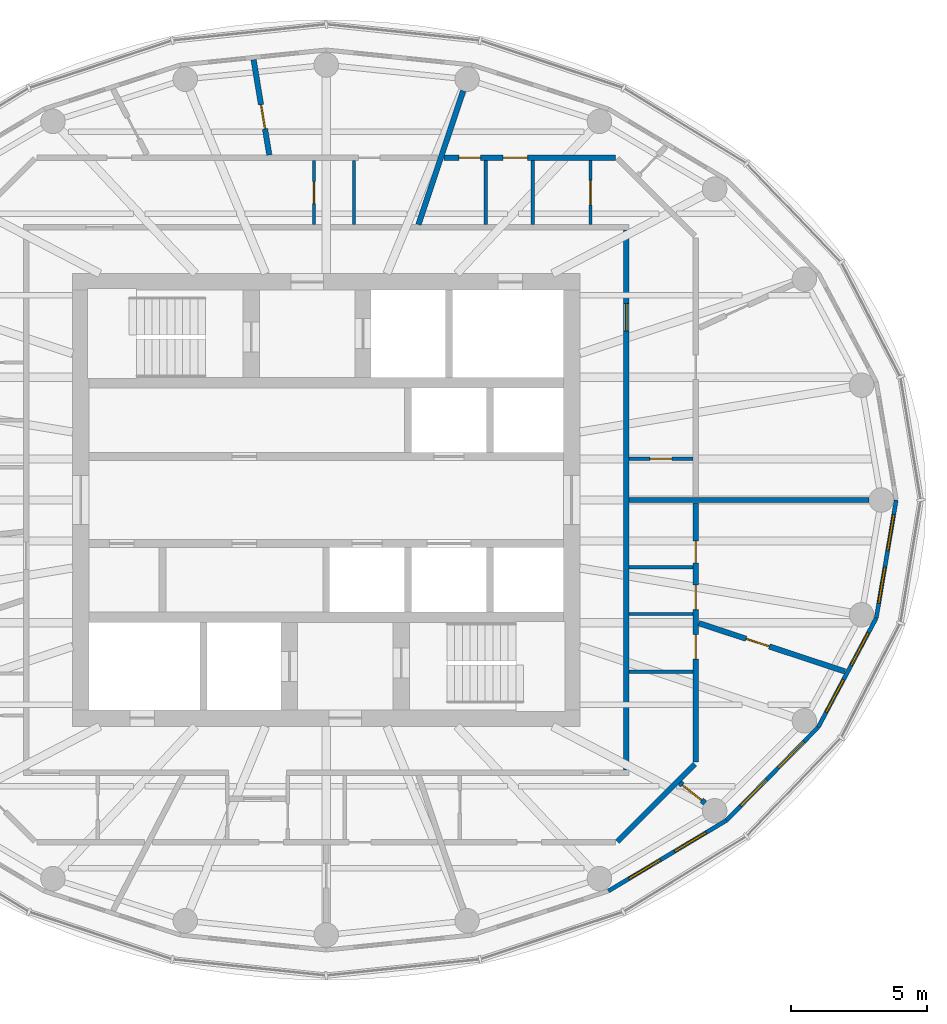
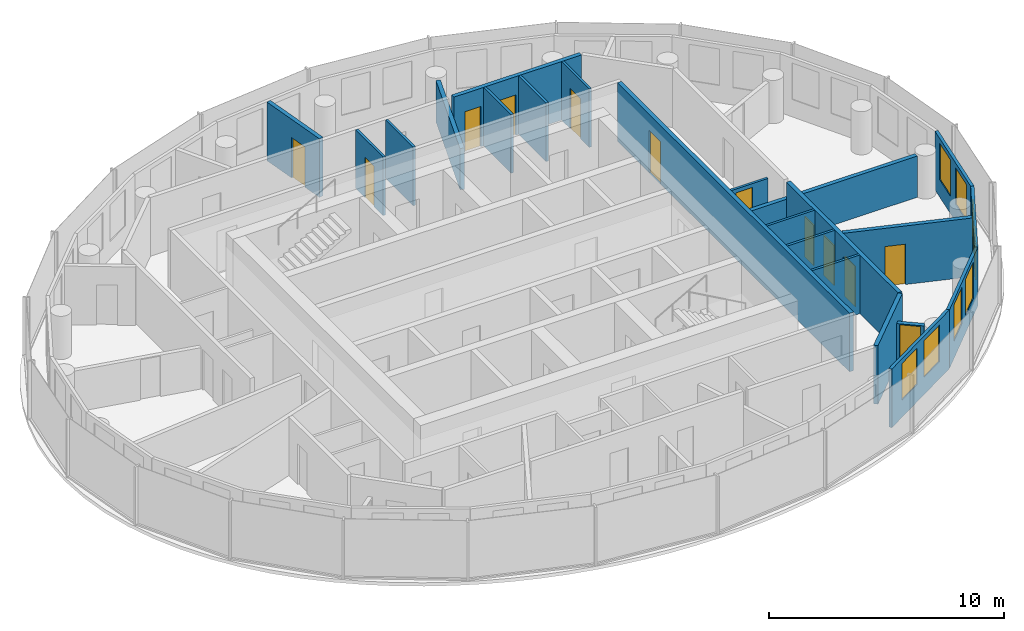
# One storey, part 8 of 11: 22 walls, 12 doors, 8 windows, 20 openings.
"""IFC4 building model written with IfcOpenShell, lengths in metres."""

import ifcopenshell
import ifcopenshell.guid

model = None  # the IFC model being written
_history = None  # IfcOwnerHistory: only IFC2X3 demands one
_inside = {}  # id of a spatial element -> (the spatial element, [elements in it])
_under = {}  # id of a project, library or spatial element -> (it, [spatial elements below it])
_declared = {}  # id of a project -> (the project, [libraries it declares])
_typed = {}  # id of a type object -> (the type object, [elements of that type])
_made_of = {}  # id of a material, layer set ... -> (it, [elements and type objects made of it])


def new_model(schema):
    """Start an empty IFC model of exactly this schema.

    Asked for "IFC4X3", IfcOpenShell would pick the latest addendum, in which some entities
    have other attributes; the version numbers below select the first issue.
    IFC2X3 requires an IfcOwnerHistory on every rooted entity: one is made here for all.
    """
    global model, _history
    if schema == "IFC4X3":
        model = ifcopenshell.file(schema_version=(4, 3, 0, 0))
    else:
        model = ifcopenshell.file(schema=schema)
    _inside.clear()
    _under.clear()
    _declared.clear()
    _typed.clear()
    _made_of.clear()
    _history = None
    if model.schema == "IFC2X3":
        org = make("IfcOrganization", Name="unknown")
        user = make(
            "IfcPersonAndOrganization",
            ThePerson=make("IfcPerson", FamilyName="unknown"),
            TheOrganization=org,
        )
        app = make(
            "IfcApplication",
            ApplicationDeveloper=org,
            Version="unknown",
            ApplicationFullName="unknown",
            ApplicationIdentifier="unknown",
        )
        _history = make(
            "IfcOwnerHistory",
            OwningUser=user,
            OwningApplication=app,
            ChangeAction="ADDED",
            CreationDate=0,
        )
    return model


def make(cls, **values):
    """One entity of the class cls with the attributes given. An attribute that is None is left unset."""
    return model.create_entity(
        cls, **{name: value for name, value in values.items() if value is not None}
    )


def rooted(cls, **values):
    """An entity with a GlobalId (a new one), such as an element, a storey or a relation."""
    return make(cls, GlobalId=ifcopenshell.guid.new(), OwnerHistory=_history, **values)


def si_unit(unit_type, name, prefix=None):
    """IfcSIUnit, for example si_unit("LENGTHUNIT", "METRE", prefix="MILLI")."""
    return make("IfcSIUnit", UnitType=unit_type, Prefix=prefix, Name=name)


def assignment(units):
    """IfcUnitAssignment: the units of a project."""
    return None if units is None else make("IfcUnitAssignment", Units=units)


def point(xyz):
    """IfcCartesianPoint."""
    return None if xyz is None else make("IfcCartesianPoint", Coordinates=xyz)


def direction(xyz):
    """IfcDirection."""
    return None if xyz is None else make("IfcDirection", DirectionRatios=xyz)


def frame(location, z_axis=None, x_axis=None):
    """IfcAxis2Placement3D, a coordinate frame: its origin and axes. An axis left out is left unset."""
    return make(
        "IfcAxis2Placement3D",
        Location=point(location),
        Axis=direction(z_axis),
        RefDirection=direction(x_axis),
    )


def frame_2d(location, x_axis=None):
    """IfcAxis2Placement2D, a coordinate frame in the plane: its origin and x axis."""
    return make(
        "IfcAxis2Placement2D", Location=point(location), RefDirection=direction(x_axis)
    )


def origin():
    """The frame at (0, 0, 0) with its axes left unset."""
    return frame((0.0, 0.0, 0.0))


def place(relative_to, where):
    """IfcLocalPlacement: puts the frame where relative to a parent placement (None: the world)."""
    return make(
        "IfcLocalPlacement", PlacementRelTo=relative_to, RelativePlacement=where
    )


def context(
    kind, dimensions, precision=None, world=None, true_north=None, identifier=None
):
    """IfcGeometricRepresentationContext, for example the 3D "Model" context."""
    return make(
        "IfcGeometricRepresentationContext",
        ContextIdentifier=identifier,
        ContextType=kind,
        CoordinateSpaceDimension=dimensions,
        Precision=precision,
        WorldCoordinateSystem=world,
        TrueNorth=true_north,
    )


def subcontext(parent, identifier, kind, view, scale=None):
    """IfcGeometricRepresentationSubContext, for example "Body" below "Model"."""
    return make(
        "IfcGeometricRepresentationSubContext",
        ContextIdentifier=identifier,
        ContextType=kind,
        ParentContext=parent,
        TargetScale=scale,
        TargetView=view,
    )


def project(units=None, contexts=None):
    """IfcProject with its units and contexts."""
    return rooted(
        "IfcProject",
        Name="project",
        RepresentationContexts=contexts,
        UnitsInContext=assignment(units),
    )


def spatial(cls, under=None, at=None, **own):
    """A site, building, storey or space (cls), placed at a placement, below another one or the project."""
    s = rooted(cls, ObjectPlacement=at, **own)
    if under is not None:
        _under.setdefault(under.id(), (under, []))[1].append(s)
    return s


def profile(cls, at=None, kind="AREA", **sizes):
    """A parametric profile (cls). Its sizes go by their IFC names, for example OverallWidth=200.0."""
    return make(cls, ProfileType=kind, Position=at, **sizes)


def rectangle(**sizes):
    """IfcRectangleProfileDef."""
    return profile("IfcRectangleProfileDef", **sizes)


def extrude(swept, where, along, depth):
    """IfcExtrudedAreaSolid: the profile swept, set in the frame where, extruded along a direction by depth."""
    return make(
        "IfcExtrudedAreaSolid",
        SweptArea=swept,
        Position=where,
        ExtrudedDirection=direction(along),
        Depth=depth,
    )


def shape(context_of_items, identifier, shape_type, items):
    """IfcShapeRepresentation: the items that make up one representation, for example the "Body"."""
    return make(
        "IfcShapeRepresentation",
        ContextOfItems=context_of_items,
        RepresentationIdentifier=identifier,
        RepresentationType=shape_type,
        Items=items,
    )


def material(Name=None, Category=None):
    """IfcMaterial."""
    return make("IfcMaterial", Name=Name, Category=Category)


def layer(
    of_material, thickness, ventilated=None, Name=None, Category=None, Priority=None
):
    """IfcMaterialLayer: one layer of a wall or slab, of a material (None: an air gap)."""
    return make(
        "IfcMaterialLayer",
        Material=of_material,
        LayerThickness=thickness,
        IsVentilated=ventilated,
        Name=Name,
        Category=Category,
        Priority=Priority,
    )


def layer_set(layers, Name=None):
    """IfcMaterialLayerSet."""
    return make("IfcMaterialLayerSet", MaterialLayers=layers, LayerSetName=Name)


def made_of(thing, what):
    """Note that an element or type object is made of a material, layer set ...; save() writes the relation."""
    if what is not None:
        _made_of.setdefault(what.id(), (what, []))[1].append(thing)
    return thing


def type_object(cls, material=None, **own):
    """A type object (cls), such as IfcWallType, which elements share."""
    return made_of(rooted(cls, **own), material)


def element(
    cls,
    number,
    at=None,
    inside=None,
    cuts=None,
    type_object=None,
    material=None,
    context=None,
    identifier="Body",
    shape_type=None,
    held_by="IfcProductDefinitionShape",
    body=None,
    shapes=None,
    **own,
):
    """One element of the class cls, such as IfcWall. Its Tag is "e" and its number.

    at: its placement. inside: the storey or other place that contains it. cuts: it is an
    opening in that element (IfcRelVoidsElement). A single representation is given by context,
    identifier, shape_type and body (its items); several are given by shapes. held_by: the class
    of the entity that holds the representations. save() writes the other relations.
    """
    e = rooted(cls, Tag="e%d" % number, ObjectPlacement=at, **own)
    if body is not None:
        shapes = [shape(context, identifier, shape_type, body)]
    if shapes is not None:
        e.Representation = make(held_by, Representations=shapes)
    if inside is not None:
        _inside.setdefault(inside.id(), (inside, []))[1].append(e)
    if cuts is not None:
        rooted(
            "IfcRelVoidsElement", RelatingBuildingElement=cuts, RelatedOpeningElement=e
        )
    if type_object is not None:
        _typed.setdefault(type_object.id(), (type_object, []))[1].append(e)
    return made_of(e, material)


def fill(opening, filler):
    """IfcRelFillsElement: the door or window that sits in an opening."""
    return rooted(
        "IfcRelFillsElement",
        RelatingOpeningElement=opening,
        RelatedBuildingElement=filler,
    )


def aggregate(whole, parts):
    """IfcRelAggregates: a whole, such as a stair, and the parts it consists of."""
    return rooted("IfcRelAggregates", RelatingObject=whole, RelatedObjects=parts)


def save(model, path):
    """Write the relations noted so far, then the file.

    IfcRelAggregates (storeys below a building ...), IfcRelContainedInSpatialStructure (elements
    in a storey), IfcRelDefinesByType, IfcRelAssociatesMaterial and IfcRelDeclares: one each for
    every whole, place, type object, material and project.
    """
    for whole, parts in _under.values():
        aggregate(whole, parts)
    for where, things in _inside.values():
        rooted(
            "IfcRelContainedInSpatialStructure",
            RelatedElements=things,
            RelatingStructure=where,
        )
    for kind, things in _typed.values():
        rooted("IfcRelDefinesByType", RelatedObjects=things, RelatingType=kind)
    for what, things in _made_of.values():
        rooted("IfcRelAssociatesMaterial", RelatedObjects=things, RelatingMaterial=what)
    for by, libraries in _declared.values():
        rooted("IfcRelDeclares", RelatingContext=by, RelatedDefinitions=libraries)
    model.write(path)


model = new_model("IFC4")

# Units and contexts
model_context = context("Model", 3, precision=1e-05, world=origin(), true_north=direction((0.0, 1.0)))
body_context = subcontext(model_context, "Body", "Model", "MODEL_VIEW")
ifc_project = project(units=[si_unit("LENGTHUNIT", "METRE"), si_unit("AREAUNIT", "SQUARE_METRE"), si_unit("VOLUMEUNIT", "CUBIC_METRE"), si_unit("PLANEANGLEUNIT", "RADIAN"), si_unit("MASSUNIT", "GRAM", prefix="KILO")], contexts=[model_context])

# Site, building, storey
site_placement = place(None, origin())
site = spatial("IfcSite", under=ifc_project, at=site_placement, CompositionType="ELEMENT")
building_placement = place(site_placement, origin())
building = spatial("IfcBuilding", under=site, at=building_placement, Name="Hankou Lantern Tower", CompositionType="ELEMENT")
storey_placement = place(building_placement, frame((0.0, 0.0, 229.199951171875)))
storey = spatial("IfcBuildingStorey", under=building, at=storey_placement, Name="L62", CompositionType="ELEMENT", Elevation=229.199951171875)

# Wall, openings, windows
ifc_material_1 = material(Name="Aluminium spandrel panel on steel studs", Category="steel")
ifc_layer_1 = layer(ifc_material_1, 0.14990234375)
ifc_layer_set_1 = layer_set([ifc_layer_1], Name="Aluminium spandrel panel on steel studs")
wall_type_1 = type_object("IfcWallType", Name="EW1 INNER SKIN WALL 150", PredefinedType="ELEMENTEDWALL", material=ifc_layer_set_1)
wall_1_placement = place(storey_placement, frame((10.346435546875, -14.33642578125, 0.0), z_axis=(0.0, 0.0, 1.0), x_axis=(0.85822150553, 0.513279502265, 0.0)))
wall_1 = element("IfcWall", 1, at=wall_1_placement, inside=storey, type_object=wall_type_1, Name="Inner skin R21-R22 L62", PredefinedType="ELEMENTEDWALL", context=body_context, shape_type="SweptSolid", body=[
    extrude(rectangle(XDim=5.050048828125, YDim=0.14990234375, at=frame_2d((2.52490234375, 0.0))), origin(), (0.0, 0.0, 1.0), 3.050048828125),
])
opening_1_placement = place(wall_1_placement, frame((0.875, 0.0, 0.89990234375)))
opening_1 = element("IfcOpeningElement", 2, at=opening_1_placement, cuts=wall_1, Name="Opening W4", PredefinedType="OPENING", context=body_context, shape_type="SweptSolid", body=[
    extrude(rectangle(XDim=1.35009765625, YDim=1.89990234375, at=frame_2d((0.675048828125, 0.949951171875))), frame((0.0, 0.0849609375, 0.0), z_axis=(0.0, -1.0, 0.0), x_axis=(1.0, 0.0, 0.0)), (0.0, 0.0, 1.0), 0.169921875),
])
opening_2_placement = place(wall_1_placement, frame((2.824951171875, 0.0, 0.89990234375)))
opening_2 = element("IfcOpeningElement", 3, at=opening_2_placement, cuts=wall_1, Name="Opening W4", PredefinedType="OPENING", context=body_context, shape_type="SweptSolid", body=[
    extrude(rectangle(XDim=1.35009765625, YDim=1.89990234375, at=frame_2d((0.675048828125, 0.949951171875))), frame((0.0, 0.0849609375, 0.0), z_axis=(0.0, -1.0, 0.0), x_axis=(1.0, 0.0, 0.0)), (0.0, 0.0, 1.0), 0.169921875),
])
ifc_material_2 = material(Name="Aluminium framed double glazed window", Category="aluminium")
window_type = type_object("IfcWindowType", Name="W4 SUITE WINDOW 1350X1900", PartitioningType="DOUBLE_PANEL_VERTICAL", PredefinedType="WINDOW", material=ifc_material_2)
window_1_placement = place(opening_1_placement, origin())
window_1 = element("IfcWindow", 4, at=window_1_placement, inside=storey, type_object=window_type, Name="Window R21.1 L62", OverallHeight=1.89990234375, OverallWidth=1.35009765625, PartitioningType="SINGLE_PANEL", PredefinedType="WINDOW", context=body_context, shape_type="SweptSolid", body=[
    extrude(rectangle(XDim=1.35009765625, YDim=1.89990234375, at=frame_2d((0.675048828125, 0.949951171875))), frame((0.0, 0.030029296875, 0.0), z_axis=(0.0, -1.0, 0.0), x_axis=(1.0, 0.0, 0.0)), (0.0, 0.0, 1.0), 0.06005859375),
])
fill(opening_1, window_1)
window_2_placement = place(opening_2_placement, origin())
window_2 = element("IfcWindow", 5, at=window_2_placement, inside=storey, type_object=window_type, Name="Window R21.2 L62", OverallHeight=1.89990234375, OverallWidth=1.35009765625, PartitioningType="SINGLE_PANEL", PredefinedType="WINDOW", context=body_context, shape_type="SweptSolid", body=[
    extrude(rectangle(XDim=1.35009765625, YDim=1.89990234375, at=frame_2d((0.675048828125, 0.949951171875))), frame((0.0, 0.030029296875, 0.0), z_axis=(0.0, -1.0, 0.0), x_axis=(1.0, 0.0, 0.0)), (0.0, 0.0, 1.0), 0.06005859375),
])
fill(opening_2, window_2)

wall_2_placement = place(storey_placement, frame((14.680419921875, -11.744384765625, 0.0), z_axis=(0.0, 0.0, 1.0), x_axis=(0.701527379618, 0.712642501993, 0.0)))
wall_2 = element("IfcWall", 6, at=wall_2_placement, inside=storey, type_object=wall_type_1, Name="Inner skin R22-R23 L62", PredefinedType="ELEMENTEDWALL", context=body_context, shape_type="SweptSolid", body=[
    extrude(rectangle(XDim=4.788330078125, YDim=0.14990234375, at=frame_2d((2.39404296875, 0.0))), origin(), (0.0, 0.0, 1.0), 3.050048828125),
])
opening_3_placement = place(wall_2_placement, frame((0.744140625, 0.0, 0.89990234375)))
opening_3 = element("IfcOpeningElement", 7, at=opening_3_placement, cuts=wall_2, Name="Opening W4", PredefinedType="OPENING", context=body_context, shape_type="SweptSolid", body=[
    extrude(rectangle(XDim=1.35009765625, YDim=1.89990234375, at=frame_2d((0.675048828125, 0.949951171875))), frame((0.0, 0.0849609375, 0.0), z_axis=(0.0, -1.0, 0.0), x_axis=(1.0, 0.0, 0.0)), (0.0, 0.0, 1.0), 0.169921875),
])
opening_4_placement = place(wall_2_placement, frame((2.694091796875, 0.0, 0.89990234375)))
opening_4 = element("IfcOpeningElement", 8, at=opening_4_placement, cuts=wall_2, Name="Opening W4", PredefinedType="OPENING", context=body_context, shape_type="SweptSolid", body=[
    extrude(rectangle(XDim=1.35009765625, YDim=1.89990234375, at=frame_2d((0.675048828125, 0.949951171875))), frame((0.0, 0.0849609375, 0.0), z_axis=(0.0, -1.0, 0.0), x_axis=(1.0, 0.0, 0.0)), (0.0, 0.0, 1.0), 0.169921875),
])
window_3_placement = place(opening_3_placement, origin())
window_3 = element("IfcWindow", 9, at=window_3_placement, inside=storey, type_object=window_type, Name="Window R22.1 L62", OverallHeight=1.89990234375, OverallWidth=1.35009765625, PartitioningType="SINGLE_PANEL", PredefinedType="WINDOW", context=body_context, shape_type="SweptSolid", body=[
    extrude(rectangle(XDim=1.35009765625, YDim=1.89990234375, at=frame_2d((0.675048828125, 0.949951171875))), frame((0.0, 0.030029296875, 0.0), z_axis=(0.0, -1.0, 0.0), x_axis=(1.0, 0.0, 0.0)), (0.0, 0.0, 1.0), 0.06005859375),
])
fill(opening_3, window_3)
window_4_placement = place(opening_4_placement, origin())
window_4 = element("IfcWindow", 10, at=window_4_placement, inside=storey, type_object=window_type, Name="Window R22.2 L62", OverallHeight=1.89990234375, OverallWidth=1.35009765625, PartitioningType="SINGLE_PANEL", PredefinedType="WINDOW", context=body_context, shape_type="SweptSolid", body=[
    extrude(rectangle(XDim=1.35009765625, YDim=1.89990234375, at=frame_2d((0.675048828125, 0.949951171875))), frame((0.0, 0.030029296875, 0.0), z_axis=(0.0, -1.0, 0.0), x_axis=(1.0, 0.0, 0.0)), (0.0, 0.0, 1.0), 0.06005859375),
])
fill(opening_4, window_4)

wall_3_placement = place(storey_placement, frame((18.03955078125, -8.33203125, 0.0), z_axis=(0.0, 0.0, 1.0), x_axis=(0.469256152955, 0.883062094597, 0.0)))
wall_3 = element("IfcWall", 11, at=wall_3_placement, inside=storey, type_object=wall_type_1, Name="Inner skin R23-R24 L62", PredefinedType="ELEMENTEDWALL", context=body_context, shape_type="SweptSolid", body=[
    extrude(rectangle(XDim=4.539306640625, YDim=0.14990234375, at=frame_2d((2.26953125, 0.0))), origin(), (0.0, 0.0, 1.0), 3.050048828125),
])
opening_5_placement = place(wall_3_placement, frame((0.61962890625, 0.0, 0.89990234375)))
opening_5 = element("IfcOpeningElement", 12, at=opening_5_placement, cuts=wall_3, Name="Opening W4", PredefinedType="OPENING", context=body_context, shape_type="SweptSolid", body=[
    extrude(rectangle(XDim=1.35009765625, YDim=1.89990234375, at=frame_2d((0.675048828125, 0.949951171875))), frame((0.0, 0.0849609375, 0.0), z_axis=(0.0, -1.0, 0.0), x_axis=(1.0, 0.0, 0.0)), (0.0, 0.0, 1.0), 0.169921875),
])
opening_6_placement = place(wall_3_placement, frame((2.569580078125, 0.0, 0.89990234375)))
opening_6 = element("IfcOpeningElement", 13, at=opening_6_placement, cuts=wall_3, Name="Opening W4", PredefinedType="OPENING", context=body_context, shape_type="SweptSolid", body=[
    extrude(rectangle(XDim=1.35009765625, YDim=1.89990234375, at=frame_2d((0.675048828125, 0.949951171875))), frame((0.0, 0.0849609375, 0.0), z_axis=(0.0, -1.0, 0.0), x_axis=(1.0, 0.0, 0.0)), (0.0, 0.0, 1.0), 0.169921875),
])
window_5_placement = place(opening_5_placement, origin())
window_5 = element("IfcWindow", 14, at=window_5_placement, inside=storey, type_object=window_type, Name="Window R23.1 L62", OverallHeight=1.89990234375, OverallWidth=1.35009765625, PartitioningType="SINGLE_PANEL", PredefinedType="WINDOW", context=body_context, shape_type="SweptSolid", body=[
    extrude(rectangle(XDim=1.35009765625, YDim=1.89990234375, at=frame_2d((0.675048828125, 0.949951171875))), frame((0.0, 0.030029296875, 0.0), z_axis=(0.0, -1.0, 0.0), x_axis=(1.0, 0.0, 0.0)), (0.0, 0.0, 1.0), 0.06005859375),
])
fill(opening_5, window_5)
window_6_placement = place(opening_6_placement, origin())
window_6 = element("IfcWindow", 15, at=window_6_placement, inside=storey, type_object=window_type, Name="Window R23.2 L62", OverallHeight=1.89990234375, OverallWidth=1.35009765625, PartitioningType="SINGLE_PANEL", PredefinedType="WINDOW", context=body_context, shape_type="SweptSolid", body=[
    extrude(rectangle(XDim=1.35009765625, YDim=1.89990234375, at=frame_2d((0.675048828125, 0.949951171875))), frame((0.0, 0.030029296875, 0.0), z_axis=(0.0, -1.0, 0.0), x_axis=(1.0, 0.0, 0.0)), (0.0, 0.0, 1.0), 0.06005859375),
])
fill(opening_6, window_6)

wall_4_placement = place(storey_placement, frame((20.169677734375, -4.323486328125, 0.0), z_axis=(0.0, 0.0, 1.0), x_axis=(0.166538513568, 0.986034950445, 0.0)))
wall_4 = element("IfcWall", 16, at=wall_4_placement, inside=storey, type_object=wall_type_1, Name="Inner skin R24-R01 L62", PredefinedType="ELEMENTEDWALL", context=body_context, shape_type="SweptSolid", body=[
    extrude(rectangle(XDim=4.384765625, YDim=0.14990234375, at=frame_2d((2.1923828125, 0.0))), origin(), (0.0, 0.0, 1.0), 3.050048828125),
])
opening_7_placement = place(wall_4_placement, frame((0.54248046875, 0.0, 0.89990234375)))
opening_7 = element("IfcOpeningElement", 17, at=opening_7_placement, cuts=wall_4, Name="Opening W4", PredefinedType="OPENING", context=body_context, shape_type="SweptSolid", body=[
    extrude(rectangle(XDim=1.35009765625, YDim=1.89990234375, at=frame_2d((0.675048828125, 0.949951171875))), frame((0.0, 0.0849609375, 0.0), z_axis=(0.0, -1.0, 0.0), x_axis=(1.0, 0.0, 0.0)), (0.0, 0.0, 1.0), 0.169921875),
])
opening_8_placement = place(wall_4_placement, frame((2.492431640625, 0.0, 0.89990234375)))
opening_8 = element("IfcOpeningElement", 18, at=opening_8_placement, cuts=wall_4, Name="Opening W4", PredefinedType="OPENING", context=body_context, shape_type="SweptSolid", body=[
    extrude(rectangle(XDim=1.35009765625, YDim=1.89990234375, at=frame_2d((0.675048828125, 0.949951171875))), frame((0.0, 0.0849609375, 0.0), z_axis=(0.0, -1.0, 0.0), x_axis=(1.0, 0.0, 0.0)), (0.0, 0.0, 1.0), 0.169921875),
])
window_7_placement = place(opening_7_placement, origin())
window_7 = element("IfcWindow", 19, at=window_7_placement, inside=storey, type_object=window_type, Name="Window R24.1 L62", OverallHeight=1.89990234375, OverallWidth=1.35009765625, PartitioningType="SINGLE_PANEL", PredefinedType="WINDOW", context=body_context, shape_type="SweptSolid", body=[
    extrude(rectangle(XDim=1.35009765625, YDim=1.89990234375, at=frame_2d((0.675048828125, 0.949951171875))), frame((0.0, 0.030029296875, 0.0), z_axis=(0.0, -1.0, 0.0), x_axis=(1.0, 0.0, 0.0)), (0.0, 0.0, 1.0), 0.06005859375),
])
fill(opening_7, window_7)
window_8_placement = place(opening_8_placement, origin())
window_8 = element("IfcWindow", 20, at=window_8_placement, inside=storey, type_object=window_type, Name="Window R24.2 L62", OverallHeight=1.89990234375, OverallWidth=1.35009765625, PartitioningType="SINGLE_PANEL", PredefinedType="WINDOW", context=body_context, shape_type="SweptSolid", body=[
    extrude(rectangle(XDim=1.35009765625, YDim=1.89990234375, at=frame_2d((0.675048828125, 0.949951171875))), frame((0.0, 0.030029296875, 0.0), z_axis=(0.0, -1.0, 0.0), x_axis=(1.0, 0.0, 0.0)), (0.0, 0.0, 1.0), 0.06005859375),
])
fill(opening_8, window_8)

# Walls
ifc_material_3 = material(Name="Masonry lightweight concrete block", Category="masonry")
ifc_layer_2 = layer(ifc_material_3, 0.199951171875)
ifc_layer_set_2 = layer_set([ifc_layer_2], Name="Masonry lightweight concrete block")
wall_type_2 = type_object("IfcWallType", Name="IW1 GUEST ROOM PARTY WALL 200", PredefinedType="PARTITIONING", material=ifc_layer_set_2)
wall_5_placement = place(storey_placement, frame((11.10009765625, 0.0, 0.0), z_axis=(0.0, 0.0, 1.0), x_axis=(1.0, 0.0, 0.0)))
element("IfcWall", 21, at=wall_5_placement, inside=storey, type_object=wall_type_2, Name="Party wall R01", PredefinedType="PARTITIONING", context=body_context, shape_type="SweptSolid", body=[
    extrude(rectangle(XDim=8.7998046875, YDim=0.199951171875, at=frame_2d((4.39990234375, 0.0))), origin(), (0.0, 0.0, 1.0), 2.150146484375),
])
wall_6_placement = place(storey_placement, frame((3.3828125, 10.10009765625, 0.0), z_axis=(0.0, 0.0, 1.0), x_axis=(0.317602151035, 0.948224063003, 0.0)))
element("IfcWall", 22, at=wall_6_placement, inside=storey, type_object=wall_type_2, Name="Party wall R06", PredefinedType="PARTITIONING", context=body_context, shape_type="SweptSolid", body=[
    extrude(rectangle(XDim=5.16796875, YDim=0.199951171875, at=frame_2d((2.583984375, 0.0))), origin(), (0.0, 0.0, 1.0), 2.150146484375),
])

# Wall, opening, door
ifc_material_4 = material(Name="Masonry lightweight concrete block", Category="masonry")
ifc_layer_3 = layer(ifc_material_4, 0.199951171875)
ifc_layer_set_3 = layer_set([ifc_layer_3], Name="Masonry lightweight concrete block")
wall_type_3 = type_object("IfcWallType", Name="IW2 CORRIDOR WALL 200", PredefinedType="PARTITIONING", material=ifc_layer_set_3)
wall_7_placement = place(storey_placement, frame((11.0, -9.89990234375, 0.0), z_axis=(0.0, 0.0, 1.0), x_axis=(0.0, 1.0, 0.0)))
wall_7 = element("IfcWall", 23, at=wall_7_placement, inside=storey, type_object=wall_type_3, Name="Corridor wall east", PredefinedType="PARTITIONING", context=body_context, shape_type="SweptSolid", body=[
    extrude(rectangle(XDim=19.7998046875, YDim=0.199951171875, at=frame_2d((9.89990234375, 0.0))), origin(), (0.0, 0.0, 1.0), 3.050048828125),
])
opening_9_placement = place(wall_7_placement, frame((16.095947265625, 0.0, 0.0)))
opening_9 = element("IfcOpeningElement", 24, at=opening_9_placement, cuts=wall_7, Name="Opening D2", PredefinedType="OPENING", context=body_context, shape_type="SweptSolid", body=[
    extrude(rectangle(XDim=1.0, YDim=2.199951171875, at=frame_2d((0.5, 1.10009765625))), frame((0.0, 0.10986328125, 0.0), z_axis=(0.0, -1.0, 0.0), x_axis=(1.0, 0.0, 0.0)), (0.0, 0.0, 1.0), 0.219970703125),
])
ifc_material_5 = material(Name="Steel door leaf", Category="steel")
door_type_1 = type_object("IfcDoorType", Name="D2 SUITE DOOR 1000X2200", OperationType="SINGLE_SWING_LEFT", PredefinedType="DOOR", material=ifc_material_5)
door_1_placement = place(opening_9_placement, origin())
door_1 = element("IfcDoor", 25, at=door_1_placement, inside=storey, type_object=door_type_1, Name="Suite door 6201", OperationType="SINGLE_SWING_RIGHT", OverallHeight=2.199951171875, OverallWidth=1.0, PredefinedType="DOOR", context=body_context, shape_type="SweptSolid", body=[
    extrude(rectangle(XDim=1.0, YDim=2.199951171875, at=frame_2d((0.5, 1.10009765625))), frame((0.0, 0.02490234375, 0.0), z_axis=(0.0, -1.0, 0.0), x_axis=(1.0, 0.0, 0.0)), (0.0, 0.0, 1.0), 0.050048828125),
])
fill(opening_9, door_1)

ifc_material_6 = material(Name="Masonry lightweight concrete block", Category="masonry")
ifc_layer_4 = layer(ifc_material_6, 0.1201171875)
ifc_layer_set_4 = layer_set([ifc_layer_4], Name="Masonry lightweight concrete block")
wall_type_4 = type_object("IfcWallType", Name="IW3 BATHROOM WALL 120", PredefinedType="PARTITIONING", material=ifc_layer_set_4)
wall_8_placement = place(storey_placement, frame((11.10009765625, 1.510986328125, 0.0), z_axis=(0.0, 0.0, 1.0), x_axis=(1.0, 0.0, 0.0)))
wall_8 = element("IfcWall", 26, at=wall_8_placement, inside=storey, type_object=wall_type_4, Name="Box wall 6201 1", PredefinedType="PARTITIONING", context=body_context, shape_type="SweptSolid", body=[
    extrude(rectangle(XDim=2.349853515625, YDim=0.1201171875, at=frame_2d((1.1748046875, 0.0))), origin(), (0.0, 0.0, 1.0), 2.300048828125),
])
opening_10_placement = place(wall_8_placement, frame((0.77001953125, 0.0, 0.0)))
opening_10 = element("IfcOpeningElement", 27, at=opening_10_placement, cuts=wall_8, Name="Opening D3", PredefinedType="OPENING", context=body_context, shape_type="SweptSolid", body=[
    extrude(rectangle(XDim=0.800048828125, YDim=2.10009765625, at=frame_2d((0.39990234375, 1.050048828125))), frame((0.0, 0.070068359375, 0.0), z_axis=(0.0, -1.0, 0.0), x_axis=(1.0, 0.0, 0.0)), (0.0, 0.0, 1.0), 0.14013671875),
])
ifc_material_7 = material(Name="Timber door leaf", Category="wood")
door_type_2 = type_object("IfcDoorType", Name="D3 BATHROOM DOOR 800X2100", OperationType="SINGLE_SWING_LEFT", PredefinedType="DOOR", material=ifc_material_7)
door_2_placement = place(opening_10_placement, origin())
door_2 = element("IfcDoor", 28, at=door_2_placement, inside=storey, type_object=door_type_2, Name="Corner suite 6201 guest WC door", OperationType="SINGLE_SWING_LEFT", OverallHeight=2.10009765625, OverallWidth=0.800048828125, PredefinedType="DOOR", context=body_context, shape_type="SweptSolid", body=[
    extrude(rectangle(XDim=0.800048828125, YDim=2.10009765625, at=frame_2d((0.39990234375, 1.050048828125))), frame((0.0, 0.02490234375, 0.0), z_axis=(0.0, -1.0, 0.0), x_axis=(1.0, 0.0, 0.0)), (0.0, 0.0, 1.0), 0.050048828125),
])
fill(opening_10, door_2)

wall_9_placement = place(storey_placement, frame((9.689453125, 10.10009765625, 0.0), z_axis=(0.0, 0.0, 1.0), x_axis=(0.0, 1.0, 0.0)))
wall_9 = element("IfcWall", 29, at=wall_9_placement, inside=storey, type_object=wall_type_4, Name="Box wall 6201 2", PredefinedType="PARTITIONING", context=body_context, shape_type="SweptSolid", body=[
    extrude(rectangle(XDim=2.349853515625, YDim=0.1201171875, at=frame_2d((1.1748046875, 0.0))), origin(), (0.0, 0.0, 1.0), 3.050048828125),
])
opening_11_placement = place(wall_9_placement, frame((0.719970703125, 0.0, 0.0)))
opening_11 = element("IfcOpeningElement", 30, at=opening_11_placement, cuts=wall_9, Name="Opening D27", PredefinedType="OPENING", context=body_context, shape_type="SweptSolid", body=[
    extrude(rectangle(XDim=0.89990234375, YDim=2.10009765625, at=frame_2d((0.449951171875, 1.050048828125))), frame((0.0, 0.070068359375, 0.0), z_axis=(0.0, -1.0, 0.0), x_axis=(1.0, 0.0, 0.0)), (0.0, 0.0, 1.0), 0.14013671875),
])
ifc_material_8 = material(Name="Timber door leaf", Category="wood")
door_type_3 = type_object("IfcDoorType", Name="D27 INTERNAL DOOR 900X2100", OperationType="SINGLE_SWING_LEFT", PredefinedType="DOOR", material=ifc_material_8)
door_3_placement = place(opening_11_placement, origin())
door_3 = element("IfcDoor", 31, at=door_3_placement, inside=storey, type_object=door_type_3, Name="Corner suite 6201 pantry door", OperationType="SINGLE_SWING_LEFT", OverallHeight=2.10009765625, OverallWidth=0.89990234375, PredefinedType="DOOR", context=body_context, shape_type="SweptSolid", body=[
    extrude(rectangle(XDim=0.89990234375, YDim=2.10009765625, at=frame_2d((0.449951171875, 1.050048828125))), frame((0.0, 0.02490234375, 0.0), z_axis=(0.0, -1.0, 0.0), x_axis=(1.0, 0.0, 0.0)), (0.0, 0.0, 1.0), 0.050048828125),
])
fill(opening_11, door_3)

# Walls
for number, where, z_axis, x_axis, name in (
    (32, (7.5693359375, 10.10009765625, 0.0), (0.0, 0.0, 1.0), (0.0, 1.0, 0.0), "Box wall 6201 3"),
    (33, (5.849365234375, 10.10009765625, 0.0), (0.0, 0.0, 1.0), (0.0, 1.0, 0.0), "Box wall 6201 4"),
    (34, (1.019775390625, 10.10009765625, 0.0), (0.0, 0.0, 1.0), (0.0, 1.0, 0.0), "Box wall 6202 1"),
):
    element("IfcWall", number, at=place(storey_placement, frame(where, z_axis=z_axis, x_axis=x_axis)), inside=storey, type_object=wall_type_4, Name=name, PredefinedType="PARTITIONING", context=body_context, shape_type="SweptSolid", body=[
        extrude(rectangle(XDim=2.349853515625, YDim=0.1201171875, at=frame_2d((1.1748046875, 0.0))), origin(), (0.0, 0.0, 1.0), 3.050048828125),
    ])

# Wall, opening, door
wall_10_placement = place(storey_placement, frame((-0.4501953125, 10.10009765625, 0.0), z_axis=(0.0, 0.0, 1.0), x_axis=(0.0, 1.0, 0.0)))
wall_10 = element("IfcWall", 35, at=wall_10_placement, inside=storey, type_object=wall_type_4, Name="Box wall 6202 2", PredefinedType="PARTITIONING", context=body_context, shape_type="SweptSolid", body=[
    extrude(rectangle(XDim=2.349853515625, YDim=0.1201171875, at=frame_2d((1.1748046875, 0.0))), origin(), (0.0, 0.0, 1.0), 3.050048828125),
])
opening_12_placement = place(wall_10_placement, frame((0.77001953125, 0.0, 0.0)))
opening_12 = element("IfcOpeningElement", 36, at=opening_12_placement, cuts=wall_10, Name="Opening D3", PredefinedType="OPENING", context=body_context, shape_type="SweptSolid", body=[
    extrude(rectangle(XDim=0.800048828125, YDim=2.10009765625, at=frame_2d((0.39990234375, 1.050048828125))), frame((0.0, 0.070068359375, 0.0), z_axis=(0.0, -1.0, 0.0), x_axis=(1.0, 0.0, 0.0)), (0.0, 0.0, 1.0), 0.14013671875),
])
door_4_placement = place(opening_12_placement, origin())
door_4 = element("IfcDoor", 37, at=door_4_placement, inside=storey, type_object=door_type_2, Name="Presidential suite 6202 guest WC door", OperationType="SINGLE_SWING_LEFT", OverallHeight=2.10009765625, OverallWidth=0.800048828125, PredefinedType="DOOR", context=body_context, shape_type="SweptSolid", body=[
    extrude(rectangle(XDim=0.800048828125, YDim=2.10009765625, at=frame_2d((0.39990234375, 1.050048828125))), frame((0.0, 0.02490234375, 0.0), z_axis=(0.0, -1.0, 0.0), x_axis=(1.0, 0.0, 0.0)), (0.0, 0.0, 1.0), 0.050048828125),
])
fill(opening_12, door_4)

# Walls
for number, where, z_axis, x_axis, name in (
    (38, (11.10009765625, -6.301025390625, 0.0), (0.0, 0.0, 1.0), (1.0, 0.0, 0.0), "Box wall 6206 2"),
    (39, (11.10009765625, -4.180908203125, 0.0), (0.0, 0.0, 1.0), (1.0, 0.0, 0.0), "Box wall 6206 3"),
    (40, (11.10009765625, -2.4609375, 0.0), (0.0, 0.0, 1.0), (1.0, 0.0, 0.0), "Box wall 6206 4"),
):
    element("IfcWall", number, at=place(storey_placement, frame(where, z_axis=z_axis, x_axis=x_axis)), inside=storey, type_object=wall_type_4, Name=name, PredefinedType="PARTITIONING", context=body_context, shape_type="SweptSolid", body=[
        extrude(rectangle(XDim=2.349853515625, YDim=0.1201171875, at=frame_2d((1.1748046875, 0.0))), origin(), (0.0, 0.0, 1.0), 3.050048828125),
    ])

# Wall, openings, doors
ifc_material_9 = material(Name="Masonry lightweight concrete block", Category="masonry")
ifc_layer_5 = layer(ifc_material_9, 0.199951171875)
ifc_layer_set_5 = layer_set([ifc_layer_5], Name="Masonry lightweight concrete block")
wall_type_5 = type_object("IfcWallType", Name="IW6 SUITE PARTITION 200", PredefinedType="PARTITIONING", material=ifc_layer_set_5)
wall_11_placement = place(storey_placement, frame((10.608642578125, 12.550048828125, 0.0), z_axis=(0.0, 0.0, 1.0), x_axis=(-1.0, 0.0, 0.0)))
wall_11 = element("IfcWall", 41, at=wall_11_placement, inside=storey, type_object=wall_type_5, Name="Suite foyer wall 6201", PredefinedType="PARTITIONING", context=body_context, shape_type="SweptSolid", body=[
    extrude(rectangle(XDim=6.28369140625, YDim=0.199951171875, at=frame_2d((3.141845703125, 0.0))), origin(), (0.0, 0.0, 1.0), 3.050048828125),
])
opening_13_placement = place(wall_11_placement, frame((3.22412109375, 0.0, 0.0)))
opening_13 = element("IfcOpeningElement", 42, at=opening_13_placement, cuts=wall_11, Name="Opening D27", PredefinedType="OPENING", context=body_context, shape_type="SweptSolid", body=[
    extrude(rectangle(XDim=0.89990234375, YDim=2.10009765625, at=frame_2d((0.449951171875, 1.050048828125))), frame((0.0, 0.10986328125, 0.0), z_axis=(0.0, -1.0, 0.0), x_axis=(1.0, 0.0, 0.0)), (0.0, 0.0, 1.0), 0.219970703125),
])
opening_14_placement = place(wall_11_placement, frame((4.944091796875, 0.0, 0.0)))
opening_14 = element("IfcOpeningElement", 43, at=opening_14_placement, cuts=wall_11, Name="Opening D3", PredefinedType="OPENING", context=body_context, shape_type="SweptSolid", body=[
    extrude(rectangle(XDim=0.800048828125, YDim=2.10009765625, at=frame_2d((0.39990234375, 1.050048828125))), frame((0.0, 0.10986328125, 0.0), z_axis=(0.0, -1.0, 0.0), x_axis=(1.0, 0.0, 0.0)), (0.0, 0.0, 1.0), 0.219970703125),
])
door_5_placement = place(opening_13_placement, origin())
door_5 = element("IfcDoor", 44, at=door_5_placement, inside=storey, type_object=door_type_3, Name="Corner suite 6201 walk-in wardrobe door", OperationType="SINGLE_SWING_LEFT", OverallHeight=2.10009765625, OverallWidth=0.89990234375, PredefinedType="DOOR", context=body_context, shape_type="SweptSolid", body=[
    extrude(rectangle(XDim=0.89990234375, YDim=2.10009765625, at=frame_2d((0.449951171875, 1.050048828125))), frame((0.0, 0.02490234375, 0.0), z_axis=(0.0, -1.0, 0.0), x_axis=(1.0, 0.0, 0.0)), (0.0, 0.0, 1.0), 0.050048828125),
])
fill(opening_13, door_5)
door_6_placement = place(opening_14_placement, origin())
door_6 = element("IfcDoor", 45, at=door_6_placement, inside=storey, type_object=door_type_2, Name="Corner suite 6201 bathroom door", OperationType="SINGLE_SWING_LEFT", OverallHeight=2.10009765625, OverallWidth=0.800048828125, PredefinedType="DOOR", context=body_context, shape_type="SweptSolid", body=[
    extrude(rectangle(XDim=0.800048828125, YDim=2.10009765625, at=frame_2d((0.39990234375, 1.050048828125))), frame((0.0, 0.02490234375, 0.0), z_axis=(0.0, -1.0, 0.0), x_axis=(1.0, 0.0, 0.0)), (0.0, 0.0, 1.0), 0.050048828125),
])
fill(opening_14, door_6)

# Wall, opening, door
wall_12_placement = place(storey_placement, frame((-2.08642578125, 12.64990234375, 0.0), z_axis=(0.0, 0.0, 1.0), x_axis=(-0.162664077359, 0.986681507852, 0.0)))
wall_12 = element("IfcWall", 46, at=wall_12_placement, inside=storey, type_object=wall_type_5, Name="Suite partition R07-R08", PredefinedType="PARTITIONING", context=body_context, shape_type="SweptSolid", body=[
    extrude(rectangle(XDim=3.53759765625, YDim=0.199951171875, at=frame_2d((1.768798828125, 0.0))), origin(), (0.0, 0.0, 1.0), 3.050048828125),
])
opening_15_placement = place(wall_12_placement, frame((0.969970703125, 0.0, 0.0)))
opening_15 = element("IfcOpeningElement", 47, at=opening_15_placement, cuts=wall_12, Name="Opening D27", PredefinedType="OPENING", context=body_context, shape_type="SweptSolid", body=[
    extrude(rectangle(XDim=0.89990234375, YDim=2.10009765625, at=frame_2d((0.449951171875, 1.050048828125))), frame((0.0, 0.10986328125, 0.0), z_axis=(0.0, -1.0, 0.0), x_axis=(1.0, 0.0, 0.0)), (0.0, 0.0, 1.0), 0.219970703125),
])
door_7_placement = place(opening_15_placement, origin())
door_7 = element("IfcDoor", 48, at=door_7_placement, inside=storey, type_object=door_type_3, Name="Presidential suite 6202 study door", OperationType="SINGLE_SWING_LEFT", OverallHeight=2.10009765625, OverallWidth=0.89990234375, PredefinedType="DOOR", context=body_context, shape_type="SweptSolid", body=[
    extrude(rectangle(XDim=0.89990234375, YDim=2.10009765625, at=frame_2d((0.449951171875, 1.050048828125))), frame((0.0, 0.02490234375, 0.0), z_axis=(0.0, -1.0, 0.0), x_axis=(1.0, 0.0, 0.0)), (0.0, 0.0, 1.0), 0.050048828125),
])
fill(opening_15, door_7)

# Wall
wall_13_placement = place(storey_placement, frame((10.67919921875, -12.520751953125, 0.0), z_axis=(0.0, 0.0, 1.0), x_axis=(0.707106781187, 0.707106781187, 0.0)))
element("IfcWall", 49, at=wall_13_placement, inside=storey, type_object=wall_type_5, Name="Suite foyer wall 6206", PredefinedType="PARTITIONING", context=body_context, shape_type="SweptSolid", body=[
    extrude(rectangle(XDim=4.0185546875, YDim=0.199951171875, at=frame_2d((2.00927734375, 0.0))), origin(), (0.0, 0.0, 1.0), 3.050048828125),
])

# Wall, openings, doors
wall_14_placement = place(storey_placement, frame((13.550048828125, -9.608642578125, 0.0), z_axis=(0.0, 0.0, 1.0), x_axis=(0.0, 1.0, 0.0)))
wall_14 = element("IfcWall", 50, at=wall_14_placement, inside=storey, type_object=wall_type_5, Name="Suite foyer wall 6206", PredefinedType="PARTITIONING", context=body_context, shape_type="SweptSolid", body=[
    extrude(rectangle(XDim=9.507568359375, YDim=0.199951171875, at=frame_2d((4.75390625, 0.0))), origin(), (0.0, 0.0, 1.0), 3.050048828125),
])
opening_16_placement = place(wall_14_placement, frame((3.77001953125, 0.0, 0.0)))
opening_16 = element("IfcOpeningElement", 51, at=opening_16_placement, cuts=wall_14, Name="Opening D27", PredefinedType="OPENING", context=body_context, shape_type="SweptSolid", body=[
    extrude(rectangle(XDim=0.89990234375, YDim=2.10009765625, at=frame_2d((0.449951171875, 1.050048828125))), frame((0.0, 0.10986328125, 0.0), z_axis=(0.0, -1.0, 0.0), x_axis=(1.0, 0.0, 0.0)), (0.0, 0.0, 1.0), 0.219970703125),
])
opening_17_placement = place(wall_14_placement, frame((5.587646484375, 0.0, 0.0)))
opening_17 = element("IfcOpeningElement", 52, at=opening_17_placement, cuts=wall_14, Name="Opening D27", PredefinedType="OPENING", context=body_context, shape_type="SweptSolid", body=[
    extrude(rectangle(XDim=0.89990234375, YDim=2.10009765625, at=frame_2d((0.449951171875, 1.050048828125))), frame((0.0, 0.10986328125, 0.0), z_axis=(0.0, -1.0, 0.0), x_axis=(1.0, 0.0, 0.0)), (0.0, 0.0, 1.0), 0.219970703125),
])
opening_18_placement = place(wall_14_placement, frame((7.3076171875, 0.0, 0.0)))
opening_18 = element("IfcOpeningElement", 53, at=opening_18_placement, cuts=wall_14, Name="Opening D3", PredefinedType="OPENING", context=body_context, shape_type="SweptSolid", body=[
    extrude(rectangle(XDim=0.800048828125, YDim=2.10009765625, at=frame_2d((0.39990234375, 1.050048828125))), frame((0.0, 0.10986328125, 0.0), z_axis=(0.0, -1.0, 0.0), x_axis=(1.0, 0.0, 0.0)), (0.0, 0.0, 1.0), 0.219970703125),
])
door_8_placement = place(opening_16_placement, origin())
door_8 = element("IfcDoor", 54, at=door_8_placement, inside=storey, type_object=door_type_3, Name="Corner suite 6206 pantry door", OperationType="SINGLE_SWING_LEFT", OverallHeight=2.10009765625, OverallWidth=0.89990234375, PredefinedType="DOOR", context=body_context, shape_type="SweptSolid", body=[
    extrude(rectangle(XDim=0.89990234375, YDim=2.10009765625, at=frame_2d((0.449951171875, 1.050048828125))), frame((0.0, 0.02490234375, 0.0), z_axis=(0.0, -1.0, 0.0), x_axis=(1.0, 0.0, 0.0)), (0.0, 0.0, 1.0), 0.050048828125),
])
fill(opening_16, door_8)
door_9_placement = place(opening_17_placement, origin())
door_9 = element("IfcDoor", 55, at=door_9_placement, inside=storey, type_object=door_type_3, Name="Corner suite 6206 walk-in wardrobe door", OperationType="SINGLE_SWING_LEFT", OverallHeight=2.10009765625, OverallWidth=0.89990234375, PredefinedType="DOOR", context=body_context, shape_type="SweptSolid", body=[
    extrude(rectangle(XDim=0.89990234375, YDim=2.10009765625, at=frame_2d((0.449951171875, 1.050048828125))), frame((0.0, 0.02490234375, 0.0), z_axis=(0.0, -1.0, 0.0), x_axis=(1.0, 0.0, 0.0)), (0.0, 0.0, 1.0), 0.050048828125),
])
fill(opening_17, door_9)
door_10_placement = place(opening_18_placement, origin())
door_10 = element("IfcDoor", 56, at=door_10_placement, inside=storey, type_object=door_type_2, Name="Corner suite 6206 bathroom door", OperationType="SINGLE_SWING_LEFT", OverallHeight=2.10009765625, OverallWidth=0.800048828125, PredefinedType="DOOR", context=body_context, shape_type="SweptSolid", body=[
    extrude(rectangle(XDim=0.800048828125, YDim=2.10009765625, at=frame_2d((0.39990234375, 1.050048828125))), frame((0.0, 0.02490234375, 0.0), z_axis=(0.0, -1.0, 0.0), x_axis=(1.0, 0.0, 0.0)), (0.0, 0.0, 1.0), 0.050048828125),
])
fill(opening_18, door_10)

# Wall, opening, door
wall_15_placement = place(storey_placement, frame((12.967529296875, -10.3740234375, 0.0), z_axis=(0.0, 0.0, 1.0), x_axis=(0.780888968944, -0.624669847345, 0.0)))
wall_15 = element("IfcWall", 57, at=wall_15_placement, inside=storey, type_object=wall_type_5, Name="Suite partition R22", PredefinedType="PARTITIONING", context=body_context, shape_type="SweptSolid", body=[
    extrude(rectangle(XDim=1.181396484375, YDim=0.199951171875, at=frame_2d((0.5908203125, 0.0))), origin(), (0.0, 0.0, 1.0), 2.150146484375),
])
opening_19_placement = place(wall_15_placement, frame((0.1201171875, 0.0, 0.0)))
opening_19 = element("IfcOpeningElement", 58, at=opening_19_placement, cuts=wall_15, Name="Opening D27", PredefinedType="OPENING", context=body_context, shape_type="SweptSolid", body=[
    extrude(rectangle(XDim=0.89990234375, YDim=2.10009765625, at=frame_2d((0.449951171875, 1.050048828125))), frame((0.0, 0.10986328125, 0.0), z_axis=(0.0, -1.0, 0.0), x_axis=(1.0, 0.0, 0.0)), (0.0, 0.0, 1.0), 0.219970703125),
])
door_11_placement = place(opening_19_placement, origin())
door_11 = element("IfcDoor", 59, at=door_11_placement, inside=storey, type_object=door_type_3, Name="Corner suite 6206 dining room door", OperationType="SINGLE_SWING_LEFT", OverallHeight=2.10009765625, OverallWidth=0.89990234375, PredefinedType="DOOR", context=body_context, shape_type="SweptSolid", body=[
    extrude(rectangle(XDim=0.89990234375, YDim=2.10009765625, at=frame_2d((0.449951171875, 1.050048828125))), frame((0.0, 0.02490234375, 0.0), z_axis=(0.0, -1.0, 0.0), x_axis=(1.0, 0.0, 0.0)), (0.0, 0.0, 1.0), 0.050048828125),
])
fill(opening_19, door_11)

wall_16_placement = place(storey_placement, frame((13.664306640625, -4.516357421875, 0.0), z_axis=(0.0, 0.0, 1.0), x_axis=(0.949481375941, -0.313823384632, 0.0)))
wall_16 = element("IfcWall", 60, at=wall_16_placement, inside=storey, type_object=wall_type_5, Name="Suite partition R23-R24", PredefinedType="PARTITIONING", context=body_context, shape_type="SweptSolid", body=[
    extrude(rectangle(XDim=5.637939453125, YDim=0.199951171875, at=frame_2d((2.81884765625, 0.0))), origin(), (0.0, 0.0, 1.0), 3.050048828125),
])
opening_20_placement = place(wall_16_placement, frame((1.820068359375, 0.0, 0.0)))
opening_20 = element("IfcOpeningElement", 61, at=opening_20_placement, cuts=wall_16, Name="Opening D27", PredefinedType="OPENING", context=body_context, shape_type="SweptSolid", body=[
    extrude(rectangle(XDim=0.89990234375, YDim=2.10009765625, at=frame_2d((0.449951171875, 1.050048828125))), frame((0.0, 0.10986328125, 0.0), z_axis=(0.0, -1.0, 0.0), x_axis=(1.0, 0.0, 0.0)), (0.0, 0.0, 1.0), 0.219970703125),
])
door_12_placement = place(opening_20_placement, origin())
door_12 = element("IfcDoor", 62, at=door_12_placement, inside=storey, type_object=door_type_3, Name="Corner suite 6206 bedroom door", OperationType="SINGLE_SWING_LEFT", OverallHeight=2.10009765625, OverallWidth=0.89990234375, PredefinedType="DOOR", context=body_context, shape_type="SweptSolid", body=[
    extrude(rectangle(XDim=0.89990234375, YDim=2.10009765625, at=frame_2d((0.449951171875, 1.050048828125))), frame((0.0, 0.02490234375, 0.0), z_axis=(0.0, -1.0, 0.0), x_axis=(1.0, 0.0, 0.0)), (0.0, 0.0, 1.0), 0.050048828125),
])
fill(opening_20, door_12)

save(model, "model.ifc")
